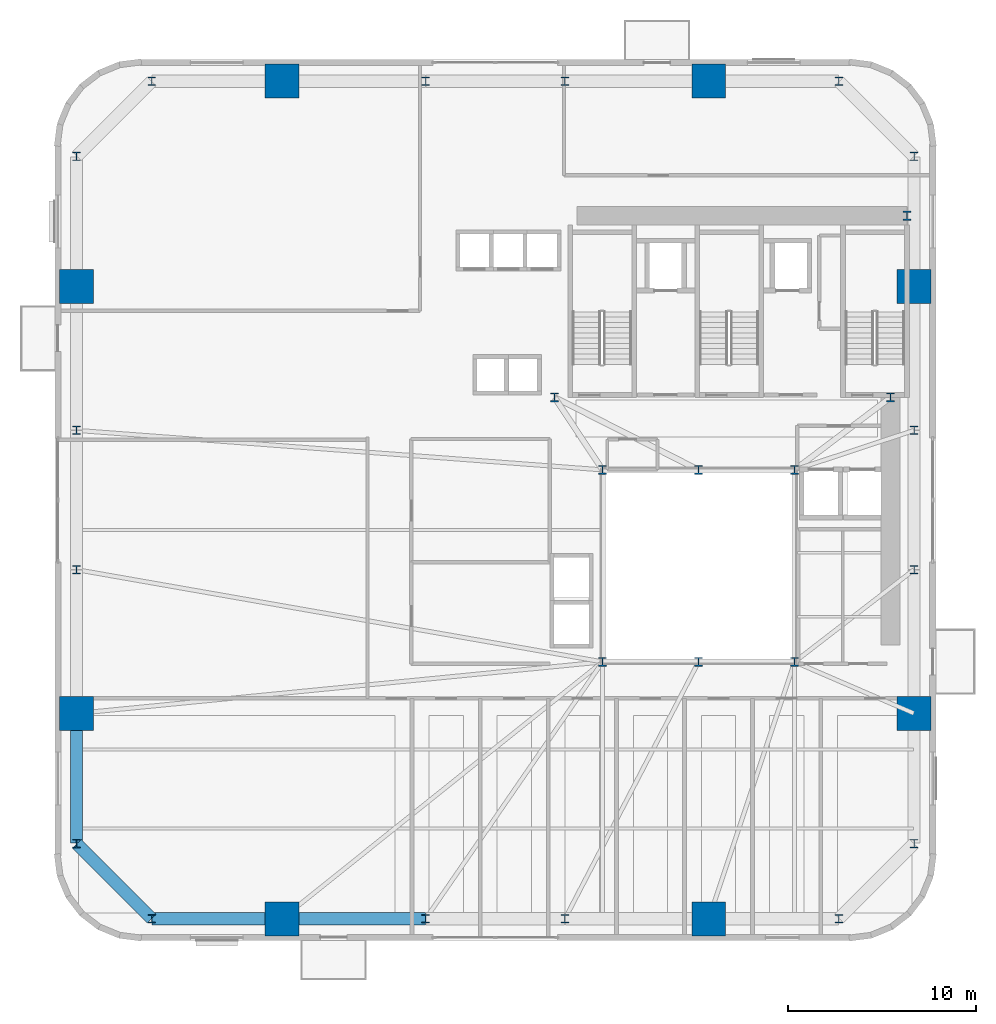
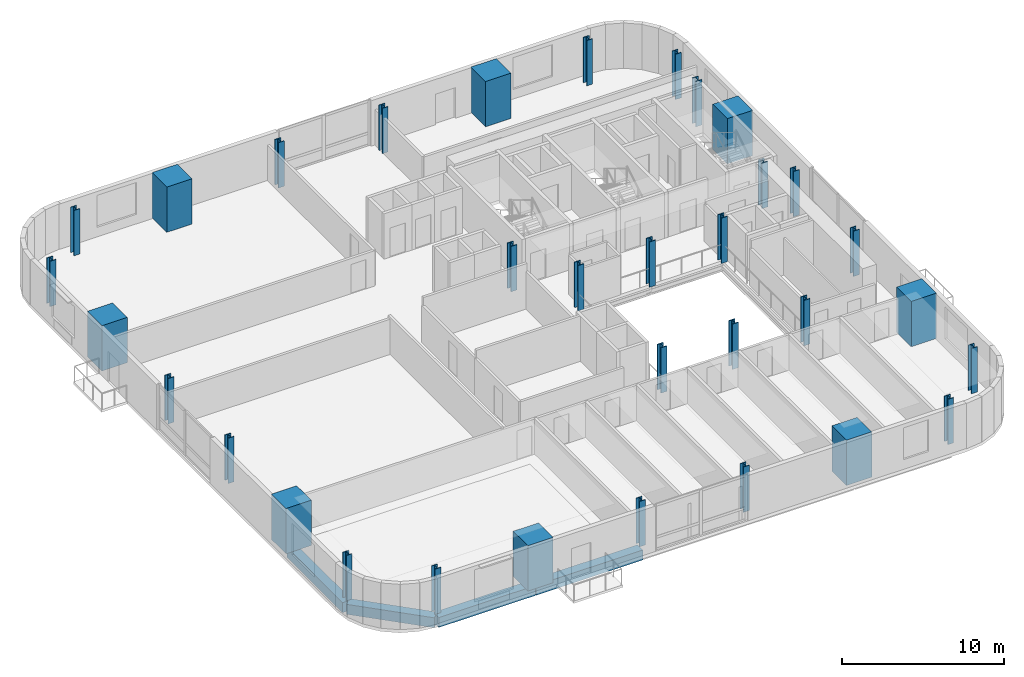
# One storey, part 1 of 13: 33 columns, 4 beams.
"""IFC4 building model written with IfcOpenShell, lengths in metres."""

import ifcopenshell
import ifcopenshell.guid

model = None  # the IFC model being written
_history = None  # IfcOwnerHistory: only IFC2X3 demands one
_inside = {}  # id of a spatial element -> (the spatial element, [elements in it])
_under = {}  # id of a project, library or spatial element -> (it, [spatial elements below it])
_declared = {}  # id of a project -> (the project, [libraries it declares])
_typed = {}  # id of a type object -> (the type object, [elements of that type])
_made_of = {}  # id of a material, layer set ... -> (it, [elements and type objects made of it])


def new_model(schema):
    """Start an empty IFC model of exactly this schema.

    Asked for "IFC4X3", IfcOpenShell would pick the latest addendum, in which some entities
    have other attributes; the version numbers below select the first issue.
    IFC2X3 requires an IfcOwnerHistory on every rooted entity: one is made here for all.
    """
    global model, _history
    if schema == "IFC4X3":
        model = ifcopenshell.file(schema_version=(4, 3, 0, 0))
    else:
        model = ifcopenshell.file(schema=schema)
    _inside.clear()
    _under.clear()
    _declared.clear()
    _typed.clear()
    _made_of.clear()
    _history = None
    if model.schema == "IFC2X3":
        org = make("IfcOrganization", Name="unknown")
        user = make(
            "IfcPersonAndOrganization",
            ThePerson=make("IfcPerson", FamilyName="unknown"),
            TheOrganization=org,
        )
        app = make(
            "IfcApplication",
            ApplicationDeveloper=org,
            Version="unknown",
            ApplicationFullName="unknown",
            ApplicationIdentifier="unknown",
        )
        _history = make(
            "IfcOwnerHistory",
            OwningUser=user,
            OwningApplication=app,
            ChangeAction="ADDED",
            CreationDate=0,
        )
    return model


def make(cls, **values):
    """One entity of the class cls with the attributes given. An attribute that is None is left unset."""
    return model.create_entity(
        cls, **{name: value for name, value in values.items() if value is not None}
    )


def rooted(cls, **values):
    """An entity with a GlobalId (a new one), such as an element, a storey or a relation."""
    return make(cls, GlobalId=ifcopenshell.guid.new(), OwnerHistory=_history, **values)


def si_unit(unit_type, name, prefix=None):
    """IfcSIUnit, for example si_unit("LENGTHUNIT", "METRE", prefix="MILLI")."""
    return make("IfcSIUnit", UnitType=unit_type, Prefix=prefix, Name=name)


def assignment(units):
    """IfcUnitAssignment: the units of a project."""
    return None if units is None else make("IfcUnitAssignment", Units=units)


def point(xyz):
    """IfcCartesianPoint."""
    return None if xyz is None else make("IfcCartesianPoint", Coordinates=xyz)


def direction(xyz):
    """IfcDirection."""
    return None if xyz is None else make("IfcDirection", DirectionRatios=xyz)


def frame(location, z_axis=None, x_axis=None):
    """IfcAxis2Placement3D, a coordinate frame: its origin and axes. An axis left out is left unset."""
    return make(
        "IfcAxis2Placement3D",
        Location=point(location),
        Axis=direction(z_axis),
        RefDirection=direction(x_axis),
    )


def frame_2d(location, x_axis=None):
    """IfcAxis2Placement2D, a coordinate frame in the plane: its origin and x axis."""
    return make(
        "IfcAxis2Placement2D", Location=point(location), RefDirection=direction(x_axis)
    )


def origin():
    """The frame at (0, 0, 0) with its axes left unset."""
    return frame((0.0, 0.0, 0.0))


def origin_2d():
    """The frame at (0, 0) in the plane with its x axis left unset."""
    return frame_2d((0.0, 0.0))


def place(relative_to, where):
    """IfcLocalPlacement: puts the frame where relative to a parent placement (None: the world)."""
    return make(
        "IfcLocalPlacement", PlacementRelTo=relative_to, RelativePlacement=where
    )


def context(
    kind, dimensions, precision=None, world=None, true_north=None, identifier=None
):
    """IfcGeometricRepresentationContext, for example the 3D "Model" context."""
    return make(
        "IfcGeometricRepresentationContext",
        ContextIdentifier=identifier,
        ContextType=kind,
        CoordinateSpaceDimension=dimensions,
        Precision=precision,
        WorldCoordinateSystem=world,
        TrueNorth=true_north,
    )


def subcontext(parent, identifier, kind, view, scale=None):
    """IfcGeometricRepresentationSubContext, for example "Body" below "Model"."""
    return make(
        "IfcGeometricRepresentationSubContext",
        ContextIdentifier=identifier,
        ContextType=kind,
        ParentContext=parent,
        TargetScale=scale,
        TargetView=view,
    )


def project(units=None, contexts=None):
    """IfcProject with its units and contexts."""
    return rooted(
        "IfcProject",
        Name="project",
        RepresentationContexts=contexts,
        UnitsInContext=assignment(units),
    )


def spatial(cls, under=None, at=None, **own):
    """A site, building, storey or space (cls), placed at a placement, below another one or the project."""
    s = rooted(cls, ObjectPlacement=at, **own)
    if under is not None:
        _under.setdefault(under.id(), (under, []))[1].append(s)
    return s


def profile(cls, at=None, kind="AREA", **sizes):
    """A parametric profile (cls). Its sizes go by their IFC names, for example OverallWidth=200.0."""
    return make(cls, ProfileType=kind, Position=at, **sizes)


def rectangle(**sizes):
    """IfcRectangleProfileDef."""
    return profile("IfcRectangleProfileDef", **sizes)


def i_section(**sizes):
    """IfcIShapeProfileDef."""
    return profile("IfcIShapeProfileDef", **sizes)


def extrude(swept, where, along, depth):
    """IfcExtrudedAreaSolid: the profile swept, set in the frame where, extruded along a direction by depth."""
    return make(
        "IfcExtrudedAreaSolid",
        SweptArea=swept,
        Position=where,
        ExtrudedDirection=direction(along),
        Depth=depth,
    )


def shape(context_of_items, identifier, shape_type, items):
    """IfcShapeRepresentation: the items that make up one representation, for example the "Body"."""
    return make(
        "IfcShapeRepresentation",
        ContextOfItems=context_of_items,
        RepresentationIdentifier=identifier,
        RepresentationType=shape_type,
        Items=items,
    )


def source(mapping_origin, context_of_items, identifier, shape_type, items):
    """IfcRepresentationMap: a shape defined once, which mapped items show again and again."""
    return make(
        "IfcRepresentationMap",
        MappingOrigin=mapping_origin,
        MappedRepresentation=shape(context_of_items, identifier, shape_type, items),
    )


def transform(
    local_origin,
    x_axis=None,
    y_axis=None,
    z_axis=None,
    scale=None,
    scale2=None,
    scale3=None,
    uniform=True,
):
    """IfcCartesianTransformationOperator3D, or its non-uniform kind. x_axis, y_axis, z_axis: its Axis1, 2, 3."""
    if uniform:
        return make(
            "IfcCartesianTransformationOperator3D",
            Axis1=direction(x_axis),
            Axis2=direction(y_axis),
            LocalOrigin=point(local_origin),
            Scale=scale,
            Axis3=direction(z_axis),
        )
    return make(
        "IfcCartesianTransformationOperator3DnonUniform",
        Axis1=direction(x_axis),
        Axis2=direction(y_axis),
        LocalOrigin=point(local_origin),
        Scale=scale,
        Axis3=direction(z_axis),
        Scale2=scale2,
        Scale3=scale3,
    )


def mapped(mapping_source, mapping_target):
    """IfcMappedItem: shows the shape of a source again, moved by a transform."""
    return make(
        "IfcMappedItem", MappingSource=mapping_source, MappingTarget=mapping_target
    )


def material(Name=None, Category=None):
    """IfcMaterial."""
    return make("IfcMaterial", Name=Name, Category=Category)


def material_profile(
    of_material, cross_section, Name=None, Category=None, Priority=None
):
    """IfcMaterialProfile: a cross section and its material."""
    return make(
        "IfcMaterialProfile",
        Name=Name,
        Material=of_material,
        Profile=cross_section,
        Priority=Priority,
        Category=Category,
    )


def profile_set(profiles, Name=None, composite=None):
    """IfcMaterialProfileSet."""
    return make(
        "IfcMaterialProfileSet",
        Name=Name,
        MaterialProfiles=profiles,
        CompositeProfile=composite,
    )


def made_of(thing, what):
    """Note that an element or type object is made of a material, layer set ...; save() writes the relation."""
    if what is not None:
        _made_of.setdefault(what.id(), (what, []))[1].append(thing)
    return thing


def type_object(cls, material=None, **own):
    """A type object (cls), such as IfcWallType, which elements share."""
    return made_of(rooted(cls, **own), material)


def element(
    cls,
    number,
    at=None,
    inside=None,
    cuts=None,
    type_object=None,
    material=None,
    context=None,
    identifier="Body",
    shape_type=None,
    held_by="IfcProductDefinitionShape",
    body=None,
    shapes=None,
    **own,
):
    """One element of the class cls, such as IfcWall. Its Tag is "e" and its number.

    at: its placement. inside: the storey or other place that contains it. cuts: it is an
    opening in that element (IfcRelVoidsElement). A single representation is given by context,
    identifier, shape_type and body (its items); several are given by shapes. held_by: the class
    of the entity that holds the representations. save() writes the other relations.
    """
    e = rooted(cls, Tag="e%d" % number, ObjectPlacement=at, **own)
    if body is not None:
        shapes = [shape(context, identifier, shape_type, body)]
    if shapes is not None:
        e.Representation = make(held_by, Representations=shapes)
    if inside is not None:
        _inside.setdefault(inside.id(), (inside, []))[1].append(e)
    if cuts is not None:
        rooted(
            "IfcRelVoidsElement", RelatingBuildingElement=cuts, RelatedOpeningElement=e
        )
    if type_object is not None:
        _typed.setdefault(type_object.id(), (type_object, []))[1].append(e)
    return made_of(e, material)


def aggregate(whole, parts):
    """IfcRelAggregates: a whole, such as a stair, and the parts it consists of."""
    return rooted("IfcRelAggregates", RelatingObject=whole, RelatedObjects=parts)


def save(model, path):
    """Write the relations noted so far, then the file.

    IfcRelAggregates (storeys below a building ...), IfcRelContainedInSpatialStructure (elements
    in a storey), IfcRelDefinesByType, IfcRelAssociatesMaterial and IfcRelDeclares: one each for
    every whole, place, type object, material and project.
    """
    for whole, parts in _under.values():
        aggregate(whole, parts)
    for where, things in _inside.values():
        rooted(
            "IfcRelContainedInSpatialStructure",
            RelatedElements=things,
            RelatingStructure=where,
        )
    for kind, things in _typed.values():
        rooted("IfcRelDefinesByType", RelatedObjects=things, RelatingType=kind)
    for what, things in _made_of.values():
        rooted("IfcRelAssociatesMaterial", RelatedObjects=things, RelatingMaterial=what)
    for by, libraries in _declared.values():
        rooted("IfcRelDeclares", RelatingContext=by, RelatedDefinitions=libraries)
    model.write(path)


model = new_model("IFC4")

# Units and contexts
model_context = context("Model", 3, precision=1e-05, world=origin(), true_north=direction((0.0, 1.0)))
body_context = subcontext(model_context, "Body", "Model", "MODEL_VIEW")
ifc_project = project(units=[si_unit("LENGTHUNIT", "METRE"), si_unit("AREAUNIT", "SQUARE_METRE"), si_unit("VOLUMEUNIT", "CUBIC_METRE"), si_unit("PLANEANGLEUNIT", "RADIAN"), si_unit("MASSUNIT", "GRAM", prefix="KILO")], contexts=[model_context])

# Site, building, storey
site_placement = place(None, origin())
site = spatial("IfcSite", under=ifc_project, at=site_placement, CompositionType="ELEMENT")
building_placement = place(site_placement, origin())
building = spatial("IfcBuilding", under=site, at=building_placement, Name="Vardaveli Station Tower", CompositionType="ELEMENT")
storey_placement = place(building_placement, frame((0.0, 0.0, 64.10009765625)))
storey = spatial("IfcBuildingStorey", under=building, at=storey_placement, Name="L16", CompositionType="ELEMENT", Elevation=64.10009765625)

# Columns
ifc_material_1 = material(Name="Structural steel S460M", Category="steel")
ifc_material_profile_1 = material_profile(ifc_material_1, i_section(OverallWidth=0.427978515625, OverallDepth=0.48095703125, WebThickness=0.03955078125, FlangeThickness=0.0634765625, FilletRadius=0.014892578125, at=origin_2d()), Name="HD 400x677")
ifc_profile_set_1 = profile_set([ifc_material_profile_1], Name="Structural steel S460M")
column_type_1 = type_object("IfcColumnType", Name="COL-HD677", PredefinedType="COLUMN", material=ifc_profile_set_1)
shared_shape_1 = source(origin(), body_context, "Body", "SweptSolid", [
    extrude(i_section(OverallWidth=0.427978515625, OverallDepth=0.48095703125, WebThickness=0.03955078125, FlangeThickness=0.0634765625, FilletRadius=0.014892578125, at=origin_2d()), origin(), (0.0, 0.0, 1.0), 3.409912109375),
])
for number, where, z_axis, x_axis, name in (
    (1, (31.199951171875, 16.60009765625, 0.0), (0.0, 0.0, 1.0), (1.0, 0.0, 0.0), "COL-L16-AC1"),
    (2, (36.300048828125, 16.60009765625, 0.0), (0.0, 0.0, 1.0), (1.0, 0.0, 0.0), "COL-L16-AC2"),
    (3, (41.39990234375, 16.60009765625, 0.0), (0.0, 0.0, 1.0), (1.0, 0.0, 0.0), "COL-L16-AC3"),
    (4, (41.39990234375, 26.800048828125, 0.0), (0.0, 0.0, 1.0), (1.0, 0.0, 0.0), "COL-L16-AC4"),
    (5, (36.300048828125, 26.800048828125, 0.0), (0.0, 0.0, 1.0), (1.0, 0.0, 0.0), "COL-L16-AC5"),
    (6, (31.199951171875, 26.800048828125, 0.0), (0.0, 0.0, 1.0), (1.0, 0.0, 0.0), "COL-L16-AC6"),
    (7, (28.64990234375, 30.64990234375, 0.0), (0.0, 0.0, 1.0), (1.0, 0.0, 0.0), "COL-L16-CC1"),
    (8, (46.5, 30.64990234375, 0.0), (0.0, 0.0, 1.0), (1.0, 0.0, 0.0), "COL-L16-CC2"),
    (9, (47.3701171875, 40.300048828125, 0.0), (0.0, 0.0, 1.0), (1.0, 0.0, 0.0), "COL-L16-CC3"),
):
    element("IfcColumn", number, at=place(storey_placement, frame(where, z_axis=z_axis, x_axis=x_axis)), inside=storey, type_object=column_type_1, Name=name, PredefinedType="COLUMN", context=body_context, shape_type="MappedRepresentation", body=[
        mapped(shared_shape_1, transform((0.0, 0.0, 0.0), scale=1.0)),
    ])
ifc_material_2 = material(Name="Concrete C70/85", Category="concrete")
ifc_material_profile_2 = material_profile(ifc_material_2, rectangle(XDim=1.800048828125, YDim=1.800048828125, at=origin_2d()), Name="MC 1800x1800")
ifc_profile_set_2 = profile_set([ifc_material_profile_2], Name="Concrete C70/85")
column_type_2 = type_object("IfcColumnType", Name="COL-MC-1800", PredefinedType="COLUMN", material=ifc_profile_set_2)
shared_shape_2 = source(origin(), body_context, "Body", "SweptSolid", [
    extrude(rectangle(XDim=1.800048828125, YDim=1.800048828125, at=origin_2d()), origin(), (0.0, 0.0, 1.0), 3.409912109375),
])
for number, where, z_axis, x_axis, name in (
    (10, (14.159912109375, 2.949951171875, 0.0), (0.0, 0.0, 1.0), (1.0, 0.0, 0.0), "COL-L16-MC1"),
    (11, (36.840087890625, 2.949951171875, 0.0), (0.0, 0.0, 1.0), (1.0, 0.0, 0.0), "COL-L16-MC2"),
    (12, (47.75, 13.860107421875, 0.0), (0.0, 0.0, 1.0), (1.0, 0.0, 0.0), "COL-L16-MC3"),
    (13, (47.75, 36.5400390625, 0.0), (0.0, 0.0, 1.0), (1.0, 0.0, 0.0), "COL-L16-MC4"),
    (14, (36.840087890625, 47.449951171875, 0.0), (0.0, 0.0, 1.0), (1.0, 0.0, 0.0), "COL-L16-MC5"),
    (15, (14.159912109375, 47.449951171875, 0.0), (0.0, 0.0, 1.0), (1.0, 0.0, 0.0), "COL-L16-MC6"),
    (16, (3.25, 36.5400390625, 0.0), (0.0, 0.0, 1.0), (1.0, 0.0, 0.0), "COL-L16-MC7"),
    (17, (3.25, 13.860107421875, 0.0), (0.0, 0.0, 1.0), (1.0, 0.0, 0.0), "COL-L16-MC8"),
):
    element("IfcColumn", number, at=place(storey_placement, frame(where, z_axis=z_axis, x_axis=x_axis)), inside=storey, type_object=column_type_2, Name=name, PredefinedType="COLUMN", context=body_context, shape_type="MappedRepresentation", body=[
        mapped(shared_shape_2, transform((0.0, 0.0, 0.0), scale=1.0)),
    ])
ifc_material_profile_3 = material_profile(ifc_material_1, i_section(OverallWidth=0.4189453125, OverallDepth=0.448974609375, WebThickness=0.030517578125, FlangeThickness=0.04833984375, FilletRadius=0.014892578125, at=origin_2d()), Name="HD 400x509")
ifc_profile_set_3 = profile_set([ifc_material_profile_3], Name="Structural steel S460M")
column_type_3 = type_object("IfcColumnType", Name="COL-HD509", PredefinedType="COLUMN", material=ifc_profile_set_3)
shared_shape_3 = source(origin(), body_context, "Body", "SweptSolid", [
    extrude(i_section(OverallWidth=0.4189453125, OverallDepth=0.448974609375, WebThickness=0.030517578125, FlangeThickness=0.04833984375, FilletRadius=0.014892578125, at=origin_2d()), origin(), (0.0, 0.0, 1.0), 3.409912109375),
])
for number, where, z_axis, x_axis, name in (
    (18, (7.25, 2.949951171875, 0.0), (0.0, 0.0, 1.0), (1.0, 0.0, 0.0), "COL-L16-PC01"),
    (19, (21.800048828125, 2.949951171875, 0.0), (0.0, 0.0, 1.0), (1.0, 0.0, 0.0), "COL-L16-PC02"),
    (20, (29.199951171875, 2.949951171875, 0.0), (0.0, 0.0, 1.0), (1.0, 0.0, 0.0), "COL-L16-PC03"),
    (21, (43.75, 2.949951171875, 0.0), (0.0, 0.0, 1.0), (1.0, 0.0, 0.0), "COL-L16-PC04"),
    (22, (47.75, 6.949951171875, 0.0), (0.0, 0.0, 1.0), (1.0, 0.0, 0.0), "COL-L16-PC05"),
    (23, (47.75, 21.5, 0.0), (0.0, 0.0, 1.0), (1.0, 0.0, 0.0), "COL-L16-PC06"),
    (24, (47.75, 28.89990234375, 0.0), (0.0, 0.0, 1.0), (1.0, 0.0, 0.0), "COL-L16-PC07"),
    (25, (47.75, 43.449951171875, 0.0), (0.0, 0.0, 1.0), (1.0, 0.0, 0.0), "COL-L16-PC08"),
    (26, (43.75, 47.449951171875, 0.0), (0.0, 0.0, 1.0), (1.0, 0.0, 0.0), "COL-L16-PC09"),
    (27, (29.199951171875, 47.449951171875, 0.0), (0.0, 0.0, 1.0), (1.0, 0.0, 0.0), "COL-L16-PC10"),
    (28, (21.800048828125, 47.449951171875, 0.0), (0.0, 0.0, 1.0), (1.0, 0.0, 0.0), "COL-L16-PC11"),
    (29, (7.25, 47.449951171875, 0.0), (0.0, 0.0, 1.0), (1.0, 0.0, 0.0), "COL-L16-PC12"),
    (30, (3.25, 43.449951171875, 0.0), (0.0, 0.0, 1.0), (1.0, 0.0, 0.0), "COL-L16-PC13"),
    (31, (3.25, 28.89990234375, 0.0), (0.0, 0.0, 1.0), (1.0, 0.0, 0.0), "COL-L16-PC14"),
    (32, (3.25, 21.5, 0.0), (0.0, 0.0, 1.0), (1.0, 0.0, 0.0), "COL-L16-PC15"),
    (33, (3.25, 6.949951171875, 0.0), (0.0, 0.0, 1.0), (1.0, 0.0, 0.0), "COL-L16-PC16"),
):
    element("IfcColumn", number, at=place(storey_placement, frame(where, z_axis=z_axis, x_axis=x_axis)), inside=storey, type_object=column_type_3, Name=name, PredefinedType="COLUMN", context=body_context, shape_type="MappedRepresentation", body=[
        mapped(shared_shape_3, transform((0.0, 0.0, 0.0), scale=1.0)),
    ])

# Beams
ifc_material_3 = material(Name="Precast concrete C45/55", Category="concrete")
ifc_material_profile_4 = material_profile(ifc_material_3, rectangle(XDim=0.64990234375, YDim=0.75, at=origin_2d()), Name="LPB 650x750")
ifc_profile_set_4 = profile_set([ifc_material_profile_4], Name="Precast concrete C45/55")
beam_type = type_object("IfcBeamType", Name="BM-LPB-750", PredefinedType="BEAM", material=ifc_profile_set_4)
shared_shape_4 = source(origin(), body_context, "Body", "SweptSolid", [
    extrude(rectangle(XDim=0.64990234375, YDim=0.75, at=origin_2d()), origin(), (0.0, 0.0, 1.0), 7.60009765625),
])
beam_1_placement = place(storey_placement, frame((14.179931640625, 2.949951171875, -0.614990234375), z_axis=(1.0, 0.0, 0.0), x_axis=(0.0, 1.0, 0.0)))
element("IfcBeam", 34, at=beam_1_placement, inside=storey, type_object=beam_type, Name="RBM-L16-01", PredefinedType="BEAM", context=body_context, shape_type="MappedRepresentation", body=[
    mapped(shared_shape_4, transform((0.0, 0.0, 0.0), scale=1.0)),
])
shared_shape_5 = source(origin(), body_context, "Body", "SweptSolid", [
    extrude(rectangle(XDim=0.64990234375, YDim=0.75, at=origin_2d()), origin(), (0.0, 0.0, 1.0), 6.869873046875),
])
beam_2_placement = place(storey_placement, frame((7.27001953125, 2.949951171875, -0.614990234375), z_axis=(1.0, 0.0, 0.0), x_axis=(0.0, 1.0, 0.0)))
element("IfcBeam", 35, at=beam_2_placement, inside=storey, type_object=beam_type, Name="RBM-L16-24", PredefinedType="BEAM", context=body_context, shape_type="MappedRepresentation", body=[
    mapped(shared_shape_5, transform((0.0, 0.0, 0.0), scale=1.0)),
])
shared_shape_6 = source(origin(), body_context, "Body", "SweptSolid", [
    extrude(rectangle(XDim=0.64990234375, YDim=0.75, at=origin_2d()), origin(), (0.0, 0.0, 1.0), 5.61669921875),
])
beam_3_placement = place(storey_placement, frame((3.26416015625, 6.935791015625, -0.614990234375), z_axis=(0.707106781187, -0.707106781187, 0.0), x_axis=(0.707106781187, 0.707106781187, 0.0)))
element("IfcBeam", 36, at=beam_3_placement, inside=storey, type_object=beam_type, Name="RBM-L16-23", PredefinedType="BEAM", context=body_context, shape_type="MappedRepresentation", body=[
    mapped(shared_shape_6, transform((0.0, 0.0, 0.0), scale=1.0)),
])
shared_shape_7 = source(origin(), body_context, "Body", "SweptSolid", [
    extrude(rectangle(XDim=0.64990234375, YDim=0.75, at=origin_2d()), origin(), (0.0, 0.0, 1.0), 6.8701171875),
])
beam_4_placement = place(storey_placement, frame((3.25, 13.840087890625, -0.614990234375), z_axis=(0.0, -1.0, 0.0), x_axis=(1.0, 0.0, 0.0)))
element("IfcBeam", 37, at=beam_4_placement, inside=storey, type_object=beam_type, Name="RBM-L16-22", PredefinedType="BEAM", context=body_context, shape_type="MappedRepresentation", body=[
    mapped(shared_shape_7, transform((0.0, 0.0, 0.0), scale=1.0)),
])

save(model, "model.ifc")
